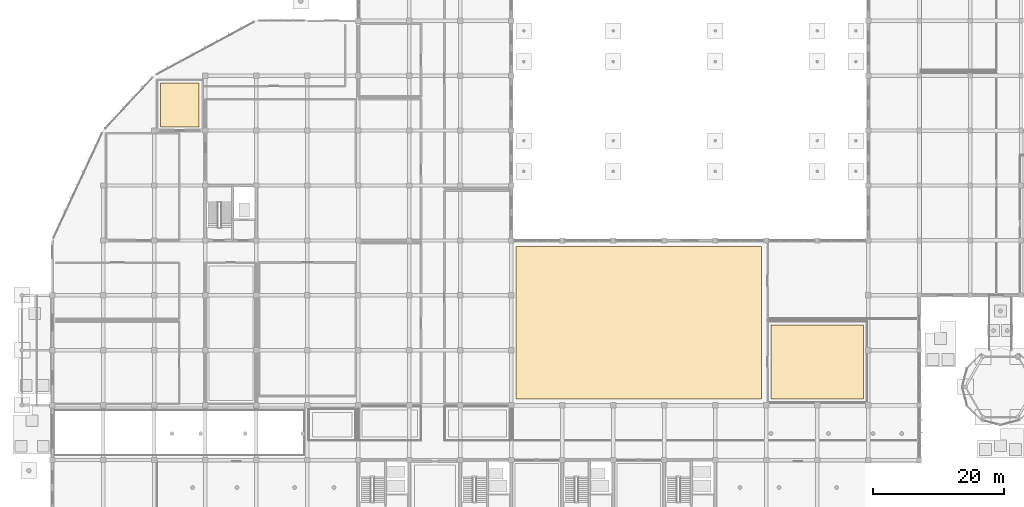
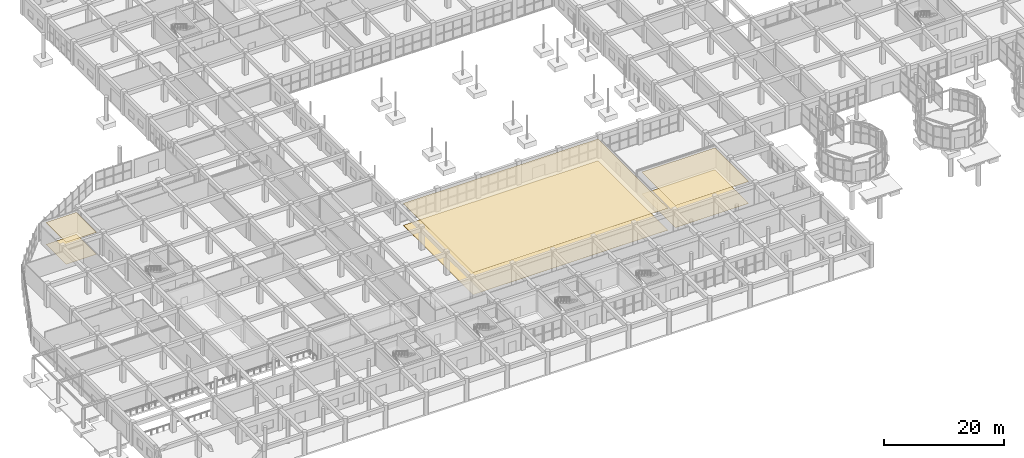
# One storey, part 136 of 139: 6 coverings.
"""IFC4 building model written with IfcOpenShell, lengths in metres."""

from ifc_helpers import new_model, si_unit, direction, frame, origin, place, context, subcontext, project, spatial, polyline, outline, extrude, material, layer, layer_set, type_object, element, save


model = new_model("IFC4")

# Units and contexts
model_context = context("Model", 3, precision=1e-05, world=origin(), true_north=direction((0.0, 1.0)))
body_context = subcontext(model_context, "Body", "Model", "MODEL_VIEW")
ifc_project = project(units=[si_unit("LENGTHUNIT", "METRE"), si_unit("AREAUNIT", "SQUARE_METRE"), si_unit("VOLUMEUNIT", "CUBIC_METRE"), si_unit("PLANEANGLEUNIT", "RADIAN"), si_unit("MASSUNIT", "GRAM", prefix="KILO")], contexts=[model_context])

# Site, building, storey
site_placement = place(None, origin())
site = spatial("IfcSite", under=ifc_project, at=site_placement, CompositionType="ELEMENT")
building_placement = place(site_placement, origin())
building = spatial("IfcBuilding", under=site, at=building_placement, Name="Zizhar Promenade General Hospital", CompositionType="ELEMENT")
storey_placement = place(building_placement, origin())
storey = spatial("IfcBuildingStorey", under=building, at=storey_placement, Name="L00", CompositionType="ELEMENT", Elevation=0.0)

# Coverings
ifc_material_1 = material(Name="Hygienic acoustic mineral ceiling tile")
ifc_layer_1 = layer(ifc_material_1, 0.02001953125)
ifc_layer_set_1 = layer_set([ifc_layer_1], Name="Hygienic acoustic mineral ceiling tile")
covering_type_1 = type_object("IfcCoveringType", Name="COV-CLG-ACOUST-20", PredefinedType="CEILING", material=ifc_layer_set_1)
covering_1_placement = place(storey_placement, frame((0.0, 0.0, 4.4599609375)))
element("IfcCovering", 1, at=covering_1_placement, inside=storey, type_object=covering_type_1, Name="Main Entrance Hall Hygienic Ceiling", PredefinedType="CEILING", context=body_context, shape_type="SweptSolid", body=[
    extrude(outline(polyline([(70.949951171875, 26.14990234375), (108.449951171875, 26.14990234375), (108.449951171875, 49.449951171875), (70.949951171875, 49.449951171875), (70.949951171875, 26.14990234375)])), origin(), (0.0, 0.0, 1.0), 0.02001953125),
])
covering_2_placement = place(storey_placement, frame((0.0, 0.0, 4.4599609375)))
element("IfcCovering", 2, at=covering_2_placement, inside=storey, type_object=covering_type_1, Name="Hospital Cafe and Dining Lounge Hygienic Ceiling", PredefinedType="CEILING", context=body_context, shape_type="SweptSolid", body=[
    extrude(outline(polyline([(109.949951171875, 26.14990234375), (124.050048828125, 26.14990234375), (124.050048828125, 37.449951171875), (109.949951171875, 37.449951171875), (109.949951171875, 26.14990234375)])), origin(), (0.0, 0.0, 1.0), 0.02001953125),
])
covering_3_placement = place(storey_placement, frame((0.0, 0.0, 4.4599609375)))
element("IfcCovering", 3, at=covering_3_placement, inside=storey, type_object=covering_type_1, Name="Emergency Department Paediatric Acute Care Hygienic Ceiling", PredefinedType="CEILING", context=body_context, shape_type="SweptSolid", body=[
    extrude(outline(polyline([(16.550048828125, 67.75), (22.449951171875, 67.75), (22.449951171875, 74.449951171875), (16.550048828125, 74.449951171875), (16.550048828125, 67.75)])), origin(), (0.0, 0.0, 1.0), 0.02001953125),
])
ifc_material_2 = material(Name="Polished terrazzo concourse flooring")
ifc_layer_2 = layer(ifc_material_2, 0.01806640625)
ifc_layer_set_2 = layer_set([ifc_layer_2], Name="Polished terrazzo concourse flooring")
covering_type_2 = type_object("IfcCoveringType", Name="COV-FLR-TERR-18", PredefinedType="FLOORING", material=ifc_layer_set_2)
covering_4_placement = place(storey_placement, origin())
element("IfcCovering", 4, at=covering_4_placement, inside=storey, type_object=covering_type_2, Name="Main Entrance Hall Clinical Flooring", PredefinedType="FLOORING", context=body_context, shape_type="SweptSolid", body=[
    extrude(outline(polyline([(70.949951171875, 26.14990234375), (108.449951171875, 26.14990234375), (108.449951171875, 49.449951171875), (70.949951171875, 49.449951171875), (70.949951171875, 26.14990234375)])), origin(), (0.0, 0.0, 1.0), 0.01806640625),
])
covering_5_placement = place(storey_placement, origin())
element("IfcCovering", 5, at=covering_5_placement, inside=storey, type_object=covering_type_2, Name="Hospital Cafe and Dining Lounge Clinical Flooring", PredefinedType="FLOORING", context=body_context, shape_type="SweptSolid", body=[
    extrude(outline(polyline([(109.949951171875, 26.14990234375), (124.050048828125, 26.14990234375), (124.050048828125, 37.449951171875), (109.949951171875, 37.449951171875), (109.949951171875, 26.14990234375)])), origin(), (0.0, 0.0, 1.0), 0.01806640625),
])
ifc_material_3 = material(Name="Seamless antimicrobial vinyl flooring")
ifc_layer_3 = layer(ifc_material_3, 0.008056640625)
ifc_layer_set_3 = layer_set([ifc_layer_3], Name="Seamless antimicrobial vinyl flooring")
covering_type_3 = type_object("IfcCoveringType", Name="COV-FLR-VINYL-08", PredefinedType="FLOORING", material=ifc_layer_set_3)
covering_6_placement = place(storey_placement, origin())
element("IfcCovering", 6, at=covering_6_placement, inside=storey, type_object=covering_type_3, Name="Emergency Department Paediatric Acute Care Clinical Flooring", PredefinedType="FLOORING", context=body_context, shape_type="SweptSolid", body=[
    extrude(outline(polyline([(16.550048828125, 67.75), (22.449951171875, 67.75), (22.449951171875, 74.449951171875), (16.550048828125, 74.449951171875), (16.550048828125, 67.75)])), origin(), (0.0, 0.0, 1.0), 0.008056640625),
])

save(model, "model.ifc")
